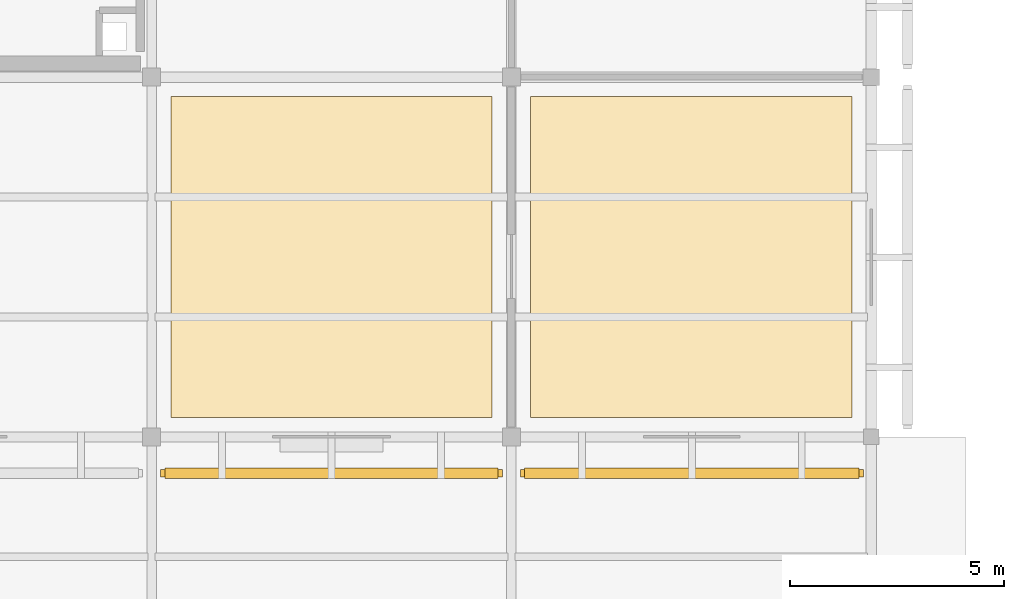
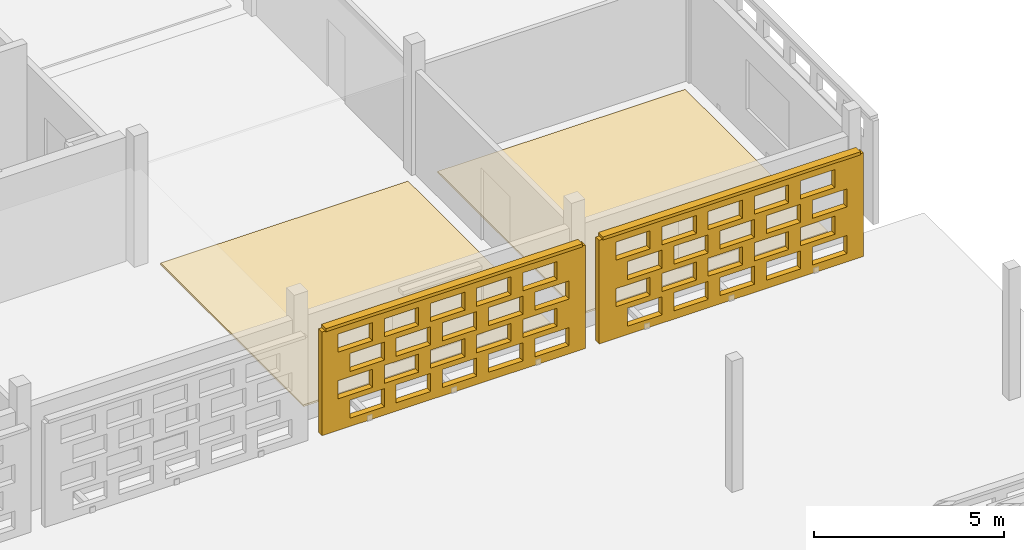
# One storey, part 86 of 103: 4 coverings, 2 shading devices, 40 openings.
"""IFC4 building model written with IfcOpenShell, lengths in metres."""

import ifcopenshell
import ifcopenshell.guid

model = None  # the IFC model being written
_history = None  # IfcOwnerHistory: only IFC2X3 demands one
_inside = {}  # id of a spatial element -> (the spatial element, [elements in it])
_under = {}  # id of a project, library or spatial element -> (it, [spatial elements below it])
_declared = {}  # id of a project -> (the project, [libraries it declares])
_typed = {}  # id of a type object -> (the type object, [elements of that type])
_made_of = {}  # id of a material, layer set ... -> (it, [elements and type objects made of it])


def new_model(schema):
    """Start an empty IFC model of exactly this schema.

    Asked for "IFC4X3", IfcOpenShell would pick the latest addendum, in which some entities
    have other attributes; the version numbers below select the first issue.
    IFC2X3 requires an IfcOwnerHistory on every rooted entity: one is made here for all.
    """
    global model, _history
    if schema == "IFC4X3":
        model = ifcopenshell.file(schema_version=(4, 3, 0, 0))
    else:
        model = ifcopenshell.file(schema=schema)
    _inside.clear()
    _under.clear()
    _declared.clear()
    _typed.clear()
    _made_of.clear()
    _history = None
    if model.schema == "IFC2X3":
        org = make("IfcOrganization", Name="unknown")
        user = make(
            "IfcPersonAndOrganization",
            ThePerson=make("IfcPerson", FamilyName="unknown"),
            TheOrganization=org,
        )
        app = make(
            "IfcApplication",
            ApplicationDeveloper=org,
            Version="unknown",
            ApplicationFullName="unknown",
            ApplicationIdentifier="unknown",
        )
        _history = make(
            "IfcOwnerHistory",
            OwningUser=user,
            OwningApplication=app,
            ChangeAction="ADDED",
            CreationDate=0,
        )
    return model


def make(cls, **values):
    """One entity of the class cls with the attributes given. An attribute that is None is left unset."""
    return model.create_entity(
        cls, **{name: value for name, value in values.items() if value is not None}
    )


def rooted(cls, **values):
    """An entity with a GlobalId (a new one), such as an element, a storey or a relation."""
    return make(cls, GlobalId=ifcopenshell.guid.new(), OwnerHistory=_history, **values)


def si_unit(unit_type, name, prefix=None):
    """IfcSIUnit, for example si_unit("LENGTHUNIT", "METRE", prefix="MILLI")."""
    return make("IfcSIUnit", UnitType=unit_type, Prefix=prefix, Name=name)


def assignment(units):
    """IfcUnitAssignment: the units of a project."""
    return None if units is None else make("IfcUnitAssignment", Units=units)


def point(xyz):
    """IfcCartesianPoint."""
    return None if xyz is None else make("IfcCartesianPoint", Coordinates=xyz)


def direction(xyz):
    """IfcDirection."""
    return None if xyz is None else make("IfcDirection", DirectionRatios=xyz)


def frame(location, z_axis=None, x_axis=None):
    """IfcAxis2Placement3D, a coordinate frame: its origin and axes. An axis left out is left unset."""
    return make(
        "IfcAxis2Placement3D",
        Location=point(location),
        Axis=direction(z_axis),
        RefDirection=direction(x_axis),
    )


def frame_2d(location, x_axis=None):
    """IfcAxis2Placement2D, a coordinate frame in the plane: its origin and x axis."""
    return make(
        "IfcAxis2Placement2D", Location=point(location), RefDirection=direction(x_axis)
    )


def origin():
    """The frame at (0, 0, 0) with its axes left unset."""
    return frame((0.0, 0.0, 0.0))


def origin_2d():
    """The frame at (0, 0) in the plane with its x axis left unset."""
    return frame_2d((0.0, 0.0))


def place(relative_to, where):
    """IfcLocalPlacement: puts the frame where relative to a parent placement (None: the world)."""
    return make(
        "IfcLocalPlacement", PlacementRelTo=relative_to, RelativePlacement=where
    )


def context(
    kind, dimensions, precision=None, world=None, true_north=None, identifier=None
):
    """IfcGeometricRepresentationContext, for example the 3D "Model" context."""
    return make(
        "IfcGeometricRepresentationContext",
        ContextIdentifier=identifier,
        ContextType=kind,
        CoordinateSpaceDimension=dimensions,
        Precision=precision,
        WorldCoordinateSystem=world,
        TrueNorth=true_north,
    )


def subcontext(parent, identifier, kind, view, scale=None):
    """IfcGeometricRepresentationSubContext, for example "Body" below "Model"."""
    return make(
        "IfcGeometricRepresentationSubContext",
        ContextIdentifier=identifier,
        ContextType=kind,
        ParentContext=parent,
        TargetScale=scale,
        TargetView=view,
    )


def project(units=None, contexts=None):
    """IfcProject with its units and contexts."""
    return rooted(
        "IfcProject",
        Name="project",
        RepresentationContexts=contexts,
        UnitsInContext=assignment(units),
    )


def spatial(cls, under=None, at=None, **own):
    """A site, building, storey or space (cls), placed at a placement, below another one or the project."""
    s = rooted(cls, ObjectPlacement=at, **own)
    if under is not None:
        _under.setdefault(under.id(), (under, []))[1].append(s)
    return s


def profile(cls, at=None, kind="AREA", **sizes):
    """A parametric profile (cls). Its sizes go by their IFC names, for example OverallWidth=200.0."""
    return make(cls, ProfileType=kind, Position=at, **sizes)


def rectangle(**sizes):
    """IfcRectangleProfileDef."""
    return profile("IfcRectangleProfileDef", **sizes)


def extrude(swept, where, along, depth):
    """IfcExtrudedAreaSolid: the profile swept, set in the frame where, extruded along a direction by depth."""
    return make(
        "IfcExtrudedAreaSolid",
        SweptArea=swept,
        Position=where,
        ExtrudedDirection=direction(along),
        Depth=depth,
    )


def shape(context_of_items, identifier, shape_type, items):
    """IfcShapeRepresentation: the items that make up one representation, for example the "Body"."""
    return make(
        "IfcShapeRepresentation",
        ContextOfItems=context_of_items,
        RepresentationIdentifier=identifier,
        RepresentationType=shape_type,
        Items=items,
    )


def material(Name=None, Category=None):
    """IfcMaterial."""
    return make("IfcMaterial", Name=Name, Category=Category)


def layer(
    of_material, thickness, ventilated=None, Name=None, Category=None, Priority=None
):
    """IfcMaterialLayer: one layer of a wall or slab, of a material (None: an air gap)."""
    return make(
        "IfcMaterialLayer",
        Material=of_material,
        LayerThickness=thickness,
        IsVentilated=ventilated,
        Name=Name,
        Category=Category,
        Priority=Priority,
    )


def layer_set(layers, Name=None):
    """IfcMaterialLayerSet."""
    return make("IfcMaterialLayerSet", MaterialLayers=layers, LayerSetName=Name)


def made_of(thing, what):
    """Note that an element or type object is made of a material, layer set ...; save() writes the relation."""
    if what is not None:
        _made_of.setdefault(what.id(), (what, []))[1].append(thing)
    return thing


def type_object(cls, material=None, **own):
    """A type object (cls), such as IfcWallType, which elements share."""
    return made_of(rooted(cls, **own), material)


def element(
    cls,
    number,
    at=None,
    inside=None,
    cuts=None,
    type_object=None,
    material=None,
    context=None,
    identifier="Body",
    shape_type=None,
    held_by="IfcProductDefinitionShape",
    body=None,
    shapes=None,
    **own,
):
    """One element of the class cls, such as IfcWall. Its Tag is "e" and its number.

    at: its placement. inside: the storey or other place that contains it. cuts: it is an
    opening in that element (IfcRelVoidsElement). A single representation is given by context,
    identifier, shape_type and body (its items); several are given by shapes. held_by: the class
    of the entity that holds the representations. save() writes the other relations.
    """
    e = rooted(cls, Tag="e%d" % number, ObjectPlacement=at, **own)
    if body is not None:
        shapes = [shape(context, identifier, shape_type, body)]
    if shapes is not None:
        e.Representation = make(held_by, Representations=shapes)
    if inside is not None:
        _inside.setdefault(inside.id(), (inside, []))[1].append(e)
    if cuts is not None:
        rooted(
            "IfcRelVoidsElement", RelatingBuildingElement=cuts, RelatedOpeningElement=e
        )
    if type_object is not None:
        _typed.setdefault(type_object.id(), (type_object, []))[1].append(e)
    return made_of(e, material)


def aggregate(whole, parts):
    """IfcRelAggregates: a whole, such as a stair, and the parts it consists of."""
    return rooted("IfcRelAggregates", RelatingObject=whole, RelatedObjects=parts)


def save(model, path):
    """Write the relations noted so far, then the file.

    IfcRelAggregates (storeys below a building ...), IfcRelContainedInSpatialStructure (elements
    in a storey), IfcRelDefinesByType, IfcRelAssociatesMaterial and IfcRelDeclares: one each for
    every whole, place, type object, material and project.
    """
    for whole, parts in _under.values():
        aggregate(whole, parts)
    for where, things in _inside.values():
        rooted(
            "IfcRelContainedInSpatialStructure",
            RelatedElements=things,
            RelatingStructure=where,
        )
    for kind, things in _typed.values():
        rooted("IfcRelDefinesByType", RelatedObjects=things, RelatingType=kind)
    for what, things in _made_of.values():
        rooted("IfcRelAssociatesMaterial", RelatedObjects=things, RelatingMaterial=what)
    for by, libraries in _declared.values():
        rooted("IfcRelDeclares", RelatingContext=by, RelatedDefinitions=libraries)
    model.write(path)


model = new_model("IFC4")

# Units and contexts
model_context = context("Model", 3, precision=1e-05, world=origin(), true_north=direction((0.0, 1.0)))
body_context = subcontext(model_context, "Body", "Model", "MODEL_VIEW")
ifc_project = project(units=[si_unit("LENGTHUNIT", "METRE"), si_unit("AREAUNIT", "SQUARE_METRE"), si_unit("VOLUMEUNIT", "CUBIC_METRE"), si_unit("PLANEANGLEUNIT", "RADIAN"), si_unit("MASSUNIT", "GRAM", prefix="KILO")], contexts=[model_context])

# Site, building, storey
site_placement = place(None, origin())
site = spatial("IfcSite", under=ifc_project, at=site_placement, CompositionType="ELEMENT")
building_placement = place(site_placement, origin())
building = spatial("IfcBuilding", under=site, at=building_placement, Name="Varnapada Polytechnic", CompositionType="ELEMENT")
storey_placement = place(building_placement, frame((0.0, 0.0, 18.0)))
storey = spatial("IfcBuildingStorey", under=building, at=storey_placement, Name="L04", CompositionType="ELEMENT", Elevation=18.0)

# Coverings
ifc_material_1 = material(Name="Anti-Static Raised Laboratory Flooring")
ifc_layer_1 = layer(ifc_material_1, 0.06005859375)
ifc_layer_set_1 = layer_set([ifc_layer_1], Name="Anti-Static Raised Laboratory Flooring")
covering_type_1 = type_object("IfcCoveringType", Name="Floor Finish FLR-02", PredefinedType="FLOORING", material=ifc_layer_set_1)
for number, where, z_axis, x_axis, name in (
    (1, (21.0, 54.60009765625, 0.0), (0.0, 0.0, 1.0), (1.0, 0.0, 0.0), "L04 floor finish panel (3,7)"),
    (2, (29.39990234375, 54.60009765625, 0.0), (0.0, 0.0, 1.0), (1.0, 0.0, 0.0), "L04 floor finish panel (4,7)"),
):
    element("IfcCovering", number, at=place(storey_placement, frame(where, z_axis=z_axis, x_axis=x_axis)), inside=storey, type_object=covering_type_1, Name=name, PredefinedType="FLOORING", context=body_context, shape_type="SweptSolid", body=[
        extrude(rectangle(XDim=7.5, YDim=7.5, at=origin_2d()), origin(), (0.0, 0.0, 1.0), 0.06005859375),
    ])

# Covering, openings
ifc_material_2 = material(Name="Earth-toned architectural terracotta screen block", Category="masonry")
ifc_layer_2 = layer(ifc_material_2, 0.1201171875)
ifc_layer_set_2 = layer_set([ifc_layer_2], Name="Earth-toned architectural terracotta screen block")
covering_type_2 = type_object("IfcCoveringType", Name="Terracotta Screen Cladding CLD-01", PredefinedType="CLADDING", material=ifc_layer_set_2)
covering_1_placement = place(storey_placement, frame((24.989990234375, 49.550048828125, 0.0), z_axis=(0.0, 0.0, 1.0), x_axis=(-1.0, 0.0, 0.0)))
covering_1 = element("IfcCovering", 3, at=covering_1_placement, inside=storey, type_object=covering_type_2, Name="L04 perforated terracotta block screen (19)", PredefinedType="CLADDING", context=body_context, shape_type="SweptSolid", body=[
    extrude(rectangle(XDim=7.97998046875, YDim=0.179931640625, at=frame_2d((3.989990234375, 0.0))), origin(), (0.0, 0.0, 1.0), 3.320068359375),
])
opening_1_placement = place(covering_1_placement, frame((0.489990234375, 0.0, 0.265625)))
element("IfcOpeningElement", 4, at=opening_1_placement, cuts=covering_1, Name="Screen perforation TBS-L04-018.1", PredefinedType="OPENING", context=body_context, shape_type="SweptSolid", body=[
    extrude(rectangle(XDim=1.0400390625, YDim=0.5810546875, at=frame_2d((0.52001953125, 0.29052734375))), frame((0.0, 0.099853515625, 0.0), z_axis=(0.0, -1.0, 0.0), x_axis=(1.0, 0.0, 0.0)), (0.0, 0.0, 1.0), 0.199951171875),
])
opening_2_placement = place(covering_1_placement, frame((1.889892578125, 0.0, 0.265625)))
element("IfcOpeningElement", 5, at=opening_2_placement, cuts=covering_1, Name="Screen perforation TBS-L04-018.2", PredefinedType="OPENING", context=body_context, shape_type="SweptSolid", body=[
    extrude(rectangle(XDim=1.0400390625, YDim=0.5810546875, at=frame_2d((0.52001953125, 0.29052734375))), frame((0.0, 0.099853515625, 0.0), z_axis=(0.0, -1.0, 0.0), x_axis=(1.0, 0.0, 0.0)), (0.0, 0.0, 1.0), 0.199951171875),
])
opening_3_placement = place(covering_1_placement, frame((3.2900390625, 0.0, 0.265625)))
element("IfcOpeningElement", 6, at=opening_3_placement, cuts=covering_1, Name="Screen perforation TBS-L04-018.3", PredefinedType="OPENING", context=body_context, shape_type="SweptSolid", body=[
    extrude(rectangle(XDim=1.0400390625, YDim=0.5810546875, at=frame_2d((0.52001953125, 0.29052734375))), frame((0.0, 0.099853515625, 0.0), z_axis=(0.0, -1.0, 0.0), x_axis=(1.0, 0.0, 0.0)), (0.0, 0.0, 1.0), 0.199951171875),
])
opening_4_placement = place(covering_1_placement, frame((4.68994140625, 0.0, 0.265625)))
element("IfcOpeningElement", 7, at=opening_4_placement, cuts=covering_1, Name="Screen perforation TBS-L04-018.4", PredefinedType="OPENING", context=body_context, shape_type="SweptSolid", body=[
    extrude(rectangle(XDim=1.0400390625, YDim=0.5810546875, at=frame_2d((0.52001953125, 0.29052734375))), frame((0.0, 0.099853515625, 0.0), z_axis=(0.0, -1.0, 0.0), x_axis=(1.0, 0.0, 0.0)), (0.0, 0.0, 1.0), 0.199951171875),
])
opening_5_placement = place(covering_1_placement, frame((6.090087890625, 0.0, 0.265625)))
element("IfcOpeningElement", 8, at=opening_5_placement, cuts=covering_1, Name="Screen perforation TBS-L04-018.5", PredefinedType="OPENING", context=body_context, shape_type="SweptSolid", body=[
    extrude(rectangle(XDim=1.0400390625, YDim=0.5810546875, at=frame_2d((0.52001953125, 0.29052734375))), frame((0.0, 0.099853515625, 0.0), z_axis=(0.0, -1.0, 0.0), x_axis=(1.0, 0.0, 0.0)), (0.0, 0.0, 1.0), 0.199951171875),
])
opening_6_placement = place(covering_1_placement, frame((0.85009765625, 0.0, 1.0126953125)))
element("IfcOpeningElement", 9, at=opening_6_placement, cuts=covering_1, Name="Screen perforation TBS-L04-018.6", PredefinedType="OPENING", context=body_context, shape_type="SweptSolid", body=[
    extrude(rectangle(XDim=1.0400390625, YDim=0.5810546875, at=frame_2d((0.52001953125, 0.29052734375))), frame((0.0, 0.099853515625, 0.0), z_axis=(0.0, -1.0, 0.0), x_axis=(1.0, 0.0, 0.0)), (0.0, 0.0, 1.0), 0.199951171875),
])
opening_7_placement = place(covering_1_placement, frame((2.25, 0.0, 1.0126953125)))
element("IfcOpeningElement", 10, at=opening_7_placement, cuts=covering_1, Name="Screen perforation TBS-L04-018.7", PredefinedType="OPENING", context=body_context, shape_type="SweptSolid", body=[
    extrude(rectangle(XDim=1.0400390625, YDim=0.5810546875, at=frame_2d((0.52001953125, 0.29052734375))), frame((0.0, 0.099853515625, 0.0), z_axis=(0.0, -1.0, 0.0), x_axis=(1.0, 0.0, 0.0)), (0.0, 0.0, 1.0), 0.199951171875),
])
opening_8_placement = place(covering_1_placement, frame((3.64990234375, 0.0, 1.0126953125)))
element("IfcOpeningElement", 11, at=opening_8_placement, cuts=covering_1, Name="Screen perforation TBS-L04-018.8", PredefinedType="OPENING", context=body_context, shape_type="SweptSolid", body=[
    extrude(rectangle(XDim=1.0400390625, YDim=0.5810546875, at=frame_2d((0.52001953125, 0.29052734375))), frame((0.0, 0.099853515625, 0.0), z_axis=(0.0, -1.0, 0.0), x_axis=(1.0, 0.0, 0.0)), (0.0, 0.0, 1.0), 0.199951171875),
])
opening_9_placement = place(covering_1_placement, frame((5.050048828125, 0.0, 1.0126953125)))
element("IfcOpeningElement", 12, at=opening_9_placement, cuts=covering_1, Name="Screen perforation TBS-L04-018.9", PredefinedType="OPENING", context=body_context, shape_type="SweptSolid", body=[
    extrude(rectangle(XDim=1.0400390625, YDim=0.5810546875, at=frame_2d((0.52001953125, 0.29052734375))), frame((0.0, 0.099853515625, 0.0), z_axis=(0.0, -1.0, 0.0), x_axis=(1.0, 0.0, 0.0)), (0.0, 0.0, 1.0), 0.199951171875),
])
opening_10_placement = place(covering_1_placement, frame((6.449951171875, 0.0, 1.0126953125)))
element("IfcOpeningElement", 13, at=opening_10_placement, cuts=covering_1, Name="Screen perforation TBS-L04-018.10", PredefinedType="OPENING", context=body_context, shape_type="SweptSolid", body=[
    extrude(rectangle(XDim=1.0400390625, YDim=0.5810546875, at=frame_2d((0.52001953125, 0.29052734375))), frame((0.0, 0.099853515625, 0.0), z_axis=(0.0, -1.0, 0.0), x_axis=(1.0, 0.0, 0.0)), (0.0, 0.0, 1.0), 0.199951171875),
])
opening_11_placement = place(covering_1_placement, frame((0.489990234375, 0.0, 1.759521484375)))
element("IfcOpeningElement", 14, at=opening_11_placement, cuts=covering_1, Name="Screen perforation TBS-L04-018.11", PredefinedType="OPENING", context=body_context, shape_type="SweptSolid", body=[
    extrude(rectangle(XDim=1.0400390625, YDim=0.5810546875, at=frame_2d((0.52001953125, 0.29052734375))), frame((0.0, 0.099853515625, 0.0), z_axis=(0.0, -1.0, 0.0), x_axis=(1.0, 0.0, 0.0)), (0.0, 0.0, 1.0), 0.199951171875),
])
opening_12_placement = place(covering_1_placement, frame((1.889892578125, 0.0, 1.759521484375)))
element("IfcOpeningElement", 15, at=opening_12_placement, cuts=covering_1, Name="Screen perforation TBS-L04-018.12", PredefinedType="OPENING", context=body_context, shape_type="SweptSolid", body=[
    extrude(rectangle(XDim=1.0400390625, YDim=0.5810546875, at=frame_2d((0.52001953125, 0.29052734375))), frame((0.0, 0.099853515625, 0.0), z_axis=(0.0, -1.0, 0.0), x_axis=(1.0, 0.0, 0.0)), (0.0, 0.0, 1.0), 0.199951171875),
])
opening_13_placement = place(covering_1_placement, frame((3.2900390625, 0.0, 1.759521484375)))
element("IfcOpeningElement", 16, at=opening_13_placement, cuts=covering_1, Name="Screen perforation TBS-L04-018.13", PredefinedType="OPENING", context=body_context, shape_type="SweptSolid", body=[
    extrude(rectangle(XDim=1.0400390625, YDim=0.5810546875, at=frame_2d((0.52001953125, 0.29052734375))), frame((0.0, 0.099853515625, 0.0), z_axis=(0.0, -1.0, 0.0), x_axis=(1.0, 0.0, 0.0)), (0.0, 0.0, 1.0), 0.199951171875),
])
opening_14_placement = place(covering_1_placement, frame((4.68994140625, 0.0, 1.759521484375)))
element("IfcOpeningElement", 17, at=opening_14_placement, cuts=covering_1, Name="Screen perforation TBS-L04-018.14", PredefinedType="OPENING", context=body_context, shape_type="SweptSolid", body=[
    extrude(rectangle(XDim=1.0400390625, YDim=0.5810546875, at=frame_2d((0.52001953125, 0.29052734375))), frame((0.0, 0.099853515625, 0.0), z_axis=(0.0, -1.0, 0.0), x_axis=(1.0, 0.0, 0.0)), (0.0, 0.0, 1.0), 0.199951171875),
])
opening_15_placement = place(covering_1_placement, frame((6.090087890625, 0.0, 1.759521484375)))
element("IfcOpeningElement", 18, at=opening_15_placement, cuts=covering_1, Name="Screen perforation TBS-L04-018.15", PredefinedType="OPENING", context=body_context, shape_type="SweptSolid", body=[
    extrude(rectangle(XDim=1.0400390625, YDim=0.5810546875, at=frame_2d((0.52001953125, 0.29052734375))), frame((0.0, 0.099853515625, 0.0), z_axis=(0.0, -1.0, 0.0), x_axis=(1.0, 0.0, 0.0)), (0.0, 0.0, 1.0), 0.199951171875),
])
opening_16_placement = place(covering_1_placement, frame((0.85009765625, 0.0, 2.506591796875)))
element("IfcOpeningElement", 19, at=opening_16_placement, cuts=covering_1, Name="Screen perforation TBS-L04-018.16", PredefinedType="OPENING", context=body_context, shape_type="SweptSolid", body=[
    extrude(rectangle(XDim=1.0400390625, YDim=0.5810546875, at=frame_2d((0.52001953125, 0.29052734375))), frame((0.0, 0.099853515625, 0.0), z_axis=(0.0, -1.0, 0.0), x_axis=(1.0, 0.0, 0.0)), (0.0, 0.0, 1.0), 0.199951171875),
])
opening_17_placement = place(covering_1_placement, frame((2.25, 0.0, 2.506591796875)))
element("IfcOpeningElement", 20, at=opening_17_placement, cuts=covering_1, Name="Screen perforation TBS-L04-018.17", PredefinedType="OPENING", context=body_context, shape_type="SweptSolid", body=[
    extrude(rectangle(XDim=1.0400390625, YDim=0.5810546875, at=frame_2d((0.52001953125, 0.29052734375))), frame((0.0, 0.099853515625, 0.0), z_axis=(0.0, -1.0, 0.0), x_axis=(1.0, 0.0, 0.0)), (0.0, 0.0, 1.0), 0.199951171875),
])
opening_18_placement = place(covering_1_placement, frame((3.64990234375, 0.0, 2.506591796875)))
element("IfcOpeningElement", 21, at=opening_18_placement, cuts=covering_1, Name="Screen perforation TBS-L04-018.18", PredefinedType="OPENING", context=body_context, shape_type="SweptSolid", body=[
    extrude(rectangle(XDim=1.0400390625, YDim=0.5810546875, at=frame_2d((0.52001953125, 0.29052734375))), frame((0.0, 0.099853515625, 0.0), z_axis=(0.0, -1.0, 0.0), x_axis=(1.0, 0.0, 0.0)), (0.0, 0.0, 1.0), 0.199951171875),
])
opening_19_placement = place(covering_1_placement, frame((5.050048828125, 0.0, 2.506591796875)))
element("IfcOpeningElement", 22, at=opening_19_placement, cuts=covering_1, Name="Screen perforation TBS-L04-018.19", PredefinedType="OPENING", context=body_context, shape_type="SweptSolid", body=[
    extrude(rectangle(XDim=1.0400390625, YDim=0.5810546875, at=frame_2d((0.52001953125, 0.29052734375))), frame((0.0, 0.099853515625, 0.0), z_axis=(0.0, -1.0, 0.0), x_axis=(1.0, 0.0, 0.0)), (0.0, 0.0, 1.0), 0.199951171875),
])
opening_20_placement = place(covering_1_placement, frame((6.449951171875, 0.0, 2.506591796875)))
element("IfcOpeningElement", 23, at=opening_20_placement, cuts=covering_1, Name="Screen perforation TBS-L04-018.20", PredefinedType="OPENING", context=body_context, shape_type="SweptSolid", body=[
    extrude(rectangle(XDim=1.0400390625, YDim=0.5810546875, at=frame_2d((0.52001953125, 0.29052734375))), frame((0.0, 0.099853515625, 0.0), z_axis=(0.0, -1.0, 0.0), x_axis=(1.0, 0.0, 0.0)), (0.0, 0.0, 1.0), 0.199951171875),
])

covering_2_placement = place(storey_placement, frame((33.419921875, 49.550048828125, 0.0), z_axis=(0.0, 0.0, 1.0), x_axis=(-1.0, 0.0, 0.0)))
covering_2 = element("IfcCovering", 24, at=covering_2_placement, inside=storey, type_object=covering_type_2, Name="L04 perforated terracotta block screen (23)", PredefinedType="CLADDING", context=body_context, shape_type="SweptSolid", body=[
    extrude(rectangle(XDim=8.010009765625, YDim=0.179931640625, at=frame_2d((4.0048828125, 0.0))), origin(), (0.0, 0.0, 1.0), 3.320068359375),
])
opening_21_placement = place(covering_2_placement, frame((0.5048828125, 0.0, 0.265625)))
element("IfcOpeningElement", 25, at=opening_21_placement, cuts=covering_2, Name="Screen perforation TBS-L04-022.1", PredefinedType="OPENING", context=body_context, shape_type="SweptSolid", body=[
    extrude(rectangle(XDim=1.0400390625, YDim=0.5810546875, at=frame_2d((0.52001953125, 0.29052734375))), frame((0.0, 0.099853515625, 0.0), z_axis=(0.0, -1.0, 0.0), x_axis=(1.0, 0.0, 0.0)), (0.0, 0.0, 1.0), 0.199951171875),
])
opening_22_placement = place(covering_2_placement, frame((1.905029296875, 0.0, 0.265625)))
element("IfcOpeningElement", 26, at=opening_22_placement, cuts=covering_2, Name="Screen perforation TBS-L04-022.2", PredefinedType="OPENING", context=body_context, shape_type="SweptSolid", body=[
    extrude(rectangle(XDim=1.0400390625, YDim=0.5810546875, at=frame_2d((0.52001953125, 0.29052734375))), frame((0.0, 0.099853515625, 0.0), z_axis=(0.0, -1.0, 0.0), x_axis=(1.0, 0.0, 0.0)), (0.0, 0.0, 1.0), 0.199951171875),
])
opening_23_placement = place(covering_2_placement, frame((3.304931640625, 0.0, 0.265625)))
element("IfcOpeningElement", 27, at=opening_23_placement, cuts=covering_2, Name="Screen perforation TBS-L04-022.3", PredefinedType="OPENING", context=body_context, shape_type="SweptSolid", body=[
    extrude(rectangle(XDim=1.0400390625, YDim=0.5810546875, at=frame_2d((0.52001953125, 0.29052734375))), frame((0.0, 0.099853515625, 0.0), z_axis=(0.0, -1.0, 0.0), x_axis=(1.0, 0.0, 0.0)), (0.0, 0.0, 1.0), 0.199951171875),
])
opening_24_placement = place(covering_2_placement, frame((4.705078125, 0.0, 0.265625)))
element("IfcOpeningElement", 28, at=opening_24_placement, cuts=covering_2, Name="Screen perforation TBS-L04-022.4", PredefinedType="OPENING", context=body_context, shape_type="SweptSolid", body=[
    extrude(rectangle(XDim=1.0400390625, YDim=0.5810546875, at=frame_2d((0.52001953125, 0.29052734375))), frame((0.0, 0.099853515625, 0.0), z_axis=(0.0, -1.0, 0.0), x_axis=(1.0, 0.0, 0.0)), (0.0, 0.0, 1.0), 0.199951171875),
])
opening_25_placement = place(covering_2_placement, frame((6.10498046875, 0.0, 0.265625)))
element("IfcOpeningElement", 29, at=opening_25_placement, cuts=covering_2, Name="Screen perforation TBS-L04-022.5", PredefinedType="OPENING", context=body_context, shape_type="SweptSolid", body=[
    extrude(rectangle(XDim=1.0400390625, YDim=0.5810546875, at=frame_2d((0.52001953125, 0.29052734375))), frame((0.0, 0.099853515625, 0.0), z_axis=(0.0, -1.0, 0.0), x_axis=(1.0, 0.0, 0.0)), (0.0, 0.0, 1.0), 0.199951171875),
])
opening_26_placement = place(covering_2_placement, frame((0.864990234375, 0.0, 1.0126953125)))
element("IfcOpeningElement", 30, at=opening_26_placement, cuts=covering_2, Name="Screen perforation TBS-L04-022.6", PredefinedType="OPENING", context=body_context, shape_type="SweptSolid", body=[
    extrude(rectangle(XDim=1.0400390625, YDim=0.5810546875, at=frame_2d((0.52001953125, 0.29052734375))), frame((0.0, 0.099853515625, 0.0), z_axis=(0.0, -1.0, 0.0), x_axis=(1.0, 0.0, 0.0)), (0.0, 0.0, 1.0), 0.199951171875),
])
opening_27_placement = place(covering_2_placement, frame((2.264892578125, 0.0, 1.0126953125)))
element("IfcOpeningElement", 31, at=opening_27_placement, cuts=covering_2, Name="Screen perforation TBS-L04-022.7", PredefinedType="OPENING", context=body_context, shape_type="SweptSolid", body=[
    extrude(rectangle(XDim=1.0400390625, YDim=0.5810546875, at=frame_2d((0.52001953125, 0.29052734375))), frame((0.0, 0.099853515625, 0.0), z_axis=(0.0, -1.0, 0.0), x_axis=(1.0, 0.0, 0.0)), (0.0, 0.0, 1.0), 0.199951171875),
])
opening_28_placement = place(covering_2_placement, frame((3.6650390625, 0.0, 1.0126953125)))
element("IfcOpeningElement", 32, at=opening_28_placement, cuts=covering_2, Name="Screen perforation TBS-L04-022.8", PredefinedType="OPENING", context=body_context, shape_type="SweptSolid", body=[
    extrude(rectangle(XDim=1.0400390625, YDim=0.5810546875, at=frame_2d((0.52001953125, 0.29052734375))), frame((0.0, 0.099853515625, 0.0), z_axis=(0.0, -1.0, 0.0), x_axis=(1.0, 0.0, 0.0)), (0.0, 0.0, 1.0), 0.199951171875),
])
opening_29_placement = place(covering_2_placement, frame((5.06494140625, 0.0, 1.0126953125)))
element("IfcOpeningElement", 33, at=opening_29_placement, cuts=covering_2, Name="Screen perforation TBS-L04-022.9", PredefinedType="OPENING", context=body_context, shape_type="SweptSolid", body=[
    extrude(rectangle(XDim=1.0400390625, YDim=0.5810546875, at=frame_2d((0.52001953125, 0.29052734375))), frame((0.0, 0.099853515625, 0.0), z_axis=(0.0, -1.0, 0.0), x_axis=(1.0, 0.0, 0.0)), (0.0, 0.0, 1.0), 0.199951171875),
])
opening_30_placement = place(covering_2_placement, frame((6.465087890625, 0.0, 1.0126953125)))
element("IfcOpeningElement", 34, at=opening_30_placement, cuts=covering_2, Name="Screen perforation TBS-L04-022.10", PredefinedType="OPENING", context=body_context, shape_type="SweptSolid", body=[
    extrude(rectangle(XDim=1.0400390625, YDim=0.5810546875, at=frame_2d((0.52001953125, 0.29052734375))), frame((0.0, 0.099853515625, 0.0), z_axis=(0.0, -1.0, 0.0), x_axis=(1.0, 0.0, 0.0)), (0.0, 0.0, 1.0), 0.199951171875),
])
opening_31_placement = place(covering_2_placement, frame((0.5048828125, 0.0, 1.759521484375)))
element("IfcOpeningElement", 35, at=opening_31_placement, cuts=covering_2, Name="Screen perforation TBS-L04-022.11", PredefinedType="OPENING", context=body_context, shape_type="SweptSolid", body=[
    extrude(rectangle(XDim=1.0400390625, YDim=0.5810546875, at=frame_2d((0.52001953125, 0.29052734375))), frame((0.0, 0.099853515625, 0.0), z_axis=(0.0, -1.0, 0.0), x_axis=(1.0, 0.0, 0.0)), (0.0, 0.0, 1.0), 0.199951171875),
])
opening_32_placement = place(covering_2_placement, frame((1.905029296875, 0.0, 1.759521484375)))
element("IfcOpeningElement", 36, at=opening_32_placement, cuts=covering_2, Name="Screen perforation TBS-L04-022.12", PredefinedType="OPENING", context=body_context, shape_type="SweptSolid", body=[
    extrude(rectangle(XDim=1.0400390625, YDim=0.5810546875, at=frame_2d((0.52001953125, 0.29052734375))), frame((0.0, 0.099853515625, 0.0), z_axis=(0.0, -1.0, 0.0), x_axis=(1.0, 0.0, 0.0)), (0.0, 0.0, 1.0), 0.199951171875),
])
opening_33_placement = place(covering_2_placement, frame((3.304931640625, 0.0, 1.759521484375)))
element("IfcOpeningElement", 37, at=opening_33_placement, cuts=covering_2, Name="Screen perforation TBS-L04-022.13", PredefinedType="OPENING", context=body_context, shape_type="SweptSolid", body=[
    extrude(rectangle(XDim=1.0400390625, YDim=0.5810546875, at=frame_2d((0.52001953125, 0.29052734375))), frame((0.0, 0.099853515625, 0.0), z_axis=(0.0, -1.0, 0.0), x_axis=(1.0, 0.0, 0.0)), (0.0, 0.0, 1.0), 0.199951171875),
])
opening_34_placement = place(covering_2_placement, frame((4.705078125, 0.0, 1.759521484375)))
element("IfcOpeningElement", 38, at=opening_34_placement, cuts=covering_2, Name="Screen perforation TBS-L04-022.14", PredefinedType="OPENING", context=body_context, shape_type="SweptSolid", body=[
    extrude(rectangle(XDim=1.0400390625, YDim=0.5810546875, at=frame_2d((0.52001953125, 0.29052734375))), frame((0.0, 0.099853515625, 0.0), z_axis=(0.0, -1.0, 0.0), x_axis=(1.0, 0.0, 0.0)), (0.0, 0.0, 1.0), 0.199951171875),
])
opening_35_placement = place(covering_2_placement, frame((6.10498046875, 0.0, 1.759521484375)))
element("IfcOpeningElement", 39, at=opening_35_placement, cuts=covering_2, Name="Screen perforation TBS-L04-022.15", PredefinedType="OPENING", context=body_context, shape_type="SweptSolid", body=[
    extrude(rectangle(XDim=1.0400390625, YDim=0.5810546875, at=frame_2d((0.52001953125, 0.29052734375))), frame((0.0, 0.099853515625, 0.0), z_axis=(0.0, -1.0, 0.0), x_axis=(1.0, 0.0, 0.0)), (0.0, 0.0, 1.0), 0.199951171875),
])
opening_36_placement = place(covering_2_placement, frame((0.864990234375, 0.0, 2.506591796875)))
element("IfcOpeningElement", 40, at=opening_36_placement, cuts=covering_2, Name="Screen perforation TBS-L04-022.16", PredefinedType="OPENING", context=body_context, shape_type="SweptSolid", body=[
    extrude(rectangle(XDim=1.0400390625, YDim=0.5810546875, at=frame_2d((0.52001953125, 0.29052734375))), frame((0.0, 0.099853515625, 0.0), z_axis=(0.0, -1.0, 0.0), x_axis=(1.0, 0.0, 0.0)), (0.0, 0.0, 1.0), 0.199951171875),
])
opening_37_placement = place(covering_2_placement, frame((2.264892578125, 0.0, 2.506591796875)))
element("IfcOpeningElement", 41, at=opening_37_placement, cuts=covering_2, Name="Screen perforation TBS-L04-022.17", PredefinedType="OPENING", context=body_context, shape_type="SweptSolid", body=[
    extrude(rectangle(XDim=1.0400390625, YDim=0.5810546875, at=frame_2d((0.52001953125, 0.29052734375))), frame((0.0, 0.099853515625, 0.0), z_axis=(0.0, -1.0, 0.0), x_axis=(1.0, 0.0, 0.0)), (0.0, 0.0, 1.0), 0.199951171875),
])
opening_38_placement = place(covering_2_placement, frame((3.6650390625, 0.0, 2.506591796875)))
element("IfcOpeningElement", 42, at=opening_38_placement, cuts=covering_2, Name="Screen perforation TBS-L04-022.18", PredefinedType="OPENING", context=body_context, shape_type="SweptSolid", body=[
    extrude(rectangle(XDim=1.0400390625, YDim=0.5810546875, at=frame_2d((0.52001953125, 0.29052734375))), frame((0.0, 0.099853515625, 0.0), z_axis=(0.0, -1.0, 0.0), x_axis=(1.0, 0.0, 0.0)), (0.0, 0.0, 1.0), 0.199951171875),
])
opening_39_placement = place(covering_2_placement, frame((5.06494140625, 0.0, 2.506591796875)))
element("IfcOpeningElement", 43, at=opening_39_placement, cuts=covering_2, Name="Screen perforation TBS-L04-022.19", PredefinedType="OPENING", context=body_context, shape_type="SweptSolid", body=[
    extrude(rectangle(XDim=1.0400390625, YDim=0.5810546875, at=frame_2d((0.52001953125, 0.29052734375))), frame((0.0, 0.099853515625, 0.0), z_axis=(0.0, -1.0, 0.0), x_axis=(1.0, 0.0, 0.0)), (0.0, 0.0, 1.0), 0.199951171875),
])
opening_40_placement = place(covering_2_placement, frame((6.465087890625, 0.0, 2.506591796875)))
element("IfcOpeningElement", 44, at=opening_40_placement, cuts=covering_2, Name="Screen perforation TBS-L04-022.20", PredefinedType="OPENING", context=body_context, shape_type="SweptSolid", body=[
    extrude(rectangle(XDim=1.0400390625, YDim=0.5810546875, at=frame_2d((0.52001953125, 0.29052734375))), frame((0.0, 0.099853515625, 0.0), z_axis=(0.0, -1.0, 0.0), x_axis=(1.0, 0.0, 0.0)), (0.0, 0.0, 1.0), 0.199951171875),
])

# Shading devices
ifc_layer_3 = layer(ifc_material_2, 0.179931640625)
ifc_layer_set_3 = layer_set([ifc_layer_3], Name="Earth-toned architectural terracotta screen block")
shading_device_type = type_object("IfcShadingDeviceType", Name="Terracotta Screen SCR-01", PredefinedType="USERDEFINED", material=ifc_layer_set_3)
shading_device_1_placement = place(storey_placement, frame((21.0, 49.550048828125, 3.31005859375), z_axis=(0.0, 0.0, 1.0), x_axis=(-1.0, 0.0, 0.0)))
element("IfcShadingDevice", 45, at=shading_device_1_placement, inside=storey, type_object=shading_device_type, Name="L04 perforated terracotta screen hood 438", ObjectType="SCREEN", PredefinedType="USERDEFINED", context=body_context, shape_type="SweptSolid", body=[
    extrude(rectangle(XDim=7.780029296875, YDim=0.239990234375, at=origin_2d()), origin(), (0.0, 0.0, 1.0), 0.10009765625),
])
shading_device_2_placement = place(storey_placement, frame((29.4150390625, 49.550048828125, 3.31005859375), z_axis=(0.0, 0.0, 1.0), x_axis=(-1.0, 0.0, 0.0)))
element("IfcShadingDevice", 46, at=shading_device_2_placement, inside=storey, type_object=shading_device_type, Name="L04 perforated terracotta screen hood 442", ObjectType="SCREEN", PredefinedType="USERDEFINED", context=body_context, shape_type="SweptSolid", body=[
    extrude(rectangle(XDim=7.81005859375, YDim=0.239990234375, at=origin_2d()), origin(), (0.0, 0.0, 1.0), 0.10009765625),
])

save(model, "model.ifc")
